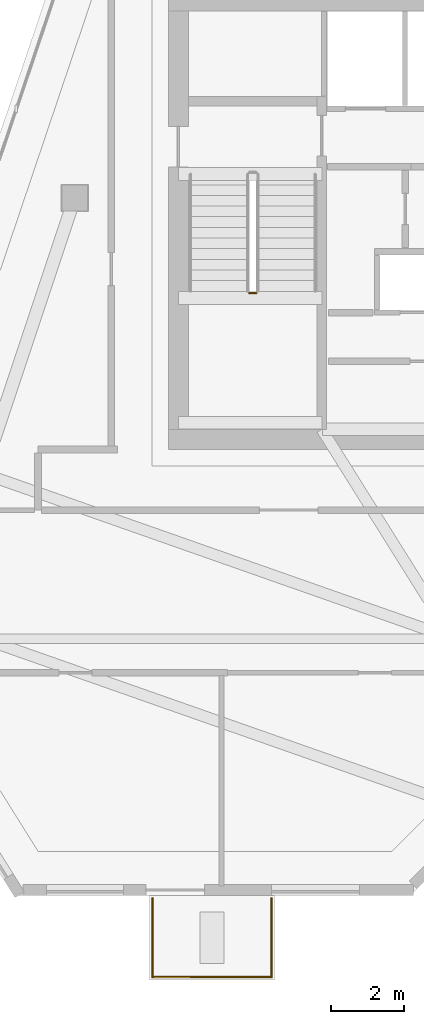
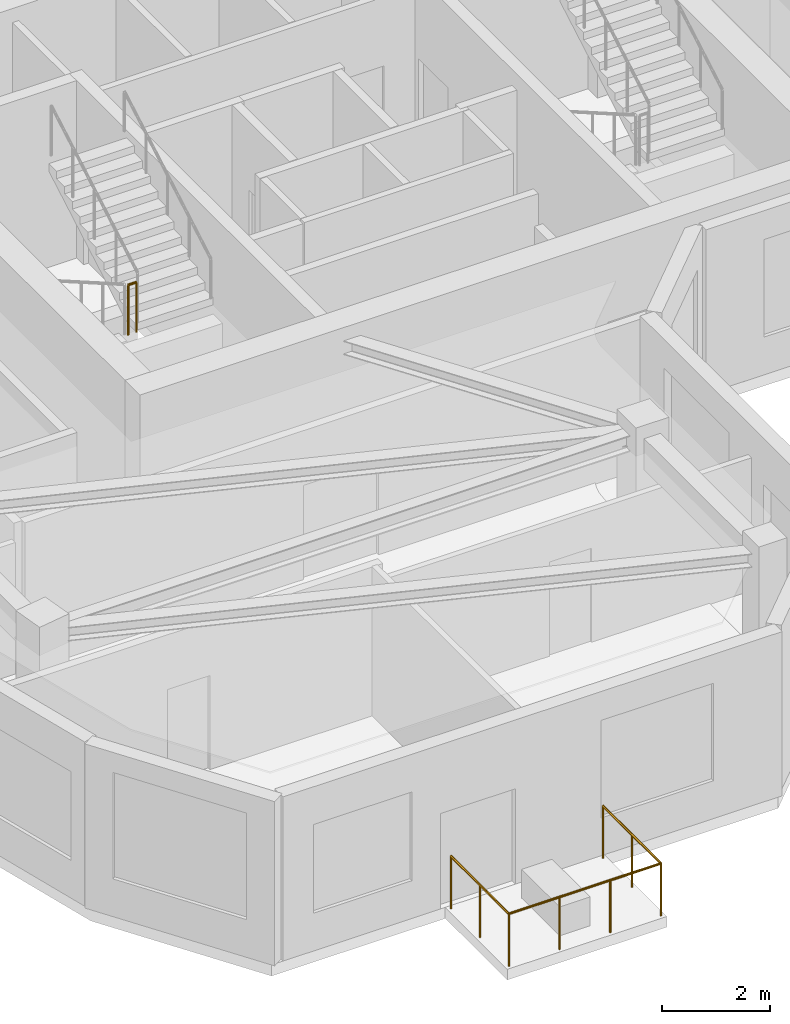
# One storey, part 6 of 8: 4 railings.
"""IFC4 building model written with IfcOpenShell, lengths in metres."""

from ifc_helpers import new_model, si_unit, direction, frame, origin, origin_2d, place, context, subcontext, project, spatial, circle, extrude, material, type_object, element, save


model = new_model("IFC4")

# Units and contexts
model_context = context("Model", 3, precision=1e-05, world=origin(), true_north=direction((0.0, 1.0)))
body_context = subcontext(model_context, "Body", "Model", "MODEL_VIEW")
ifc_project = project(units=[si_unit("LENGTHUNIT", "METRE"), si_unit("AREAUNIT", "SQUARE_METRE"), si_unit("VOLUMEUNIT", "CUBIC_METRE"), si_unit("PLANEANGLEUNIT", "RADIAN"), si_unit("MASSUNIT", "GRAM", prefix="KILO")], contexts=[model_context])

# Site, building, storey
site_placement = place(None, origin())
site = spatial("IfcSite", under=ifc_project, at=site_placement, CompositionType="ELEMENT")
building_placement = place(site_placement, origin())
building = spatial("IfcBuilding", under=site, at=building_placement, Name="Calvemar Wedge Station Tower", CompositionType="ELEMENT")
storey_placement = place(building_placement, frame((0.0, 0.0, 300.5)))
storey = spatial("IfcBuildingStorey", under=building, at=storey_placement, Name="L77", CompositionType="ELEMENT", Elevation=300.5)

# Railings
ifc_material_1 = material(Name="Stainless steel AISI 316L", Category="steel")
railing_type_1 = type_object("IfcRailingType", Name="GRD-TERR-1200", PredefinedType="GUARDRAIL", material=ifc_material_1)
railing_1_placement = place(storey_placement, frame((18.860107421875, 21.419921875, 0.0)))
element("IfcRailing", 1, at=railing_1_placement, inside=storey, type_object=railing_type_1, Name="Storey L77 Spiral Terrace Guard 2", PredefinedType="GUARDRAIL", context=body_context, shape_type="SweptSolid", body=[
    extrude(circle(Radius=0.02392578125, at=origin_2d()), frame((0.0, 0.0, 1.17578125), z_axis=(0.0, -1.0, 0.0), x_axis=(1.0, 0.0, 0.0)), (0.0, 0.0, 1.0), 2.139892578125),
    extrude(circle(Radius=0.02099609375, at=origin_2d()), origin(), (0.0, 0.0, 1.0), 1.15185546875),
    extrude(circle(Radius=0.02099609375, at=origin_2d()), frame((0.0, -1.06982421875, 0.0)), (0.0, 0.0, 1.0), 1.15185546875),
    extrude(circle(Radius=0.02099609375, at=origin_2d()), frame((0.0, -2.139892578125, 0.0)), (0.0, 0.0, 1.0), 1.15185546875),
])
railing_2_placement = place(storey_placement, frame((18.860107421875, 19.280029296875, 0.0)))
element("IfcRailing", 2, at=railing_2_placement, inside=storey, type_object=railing_type_1, Name="Storey L77 Spiral Terrace Guard 3", PredefinedType="GUARDRAIL", context=body_context, shape_type="SweptSolid", body=[
    extrude(circle(Radius=0.02392578125, at=origin_2d()), frame((0.0, 0.0, 1.17578125), z_axis=(-1.0, 0.0, 0.0), x_axis=(0.0, -1.0, 0.0)), (0.0, 0.0, 1.0), 3.239990234375),
    extrude(circle(Radius=0.02099609375, at=origin_2d()), origin(), (0.0, 0.0, 1.0), 1.15185546875),
    extrude(circle(Radius=0.02099609375, at=origin_2d()), frame((-1.080078125, 0.0, 0.0)), (0.0, 0.0, 1.0), 1.15185546875),
    extrude(circle(Radius=0.02099609375, at=origin_2d()), frame((-2.159912109375, 0.0, 0.0)), (0.0, 0.0, 1.0), 1.15185546875),
    extrude(circle(Radius=0.02099609375, at=origin_2d()), frame((-3.239990234375, 0.0, 0.0)), (0.0, 0.0, 1.0), 1.15185546875),
])
railing_3_placement = place(storey_placement, frame((15.6201171875, 19.280029296875, 0.0)))
element("IfcRailing", 3, at=railing_3_placement, inside=storey, type_object=railing_type_1, Name="Storey L77 Spiral Terrace Guard 4", PredefinedType="GUARDRAIL", context=body_context, shape_type="SweptSolid", body=[
    extrude(circle(Radius=0.02392578125, at=origin_2d()), frame((0.0, 0.0, 1.17578125), z_axis=(0.0, 1.0, 0.0), x_axis=(-1.0, 0.0, 0.0)), (0.0, 0.0, 1.0), 2.139892578125),
    extrude(circle(Radius=0.02099609375, at=origin_2d()), origin(), (0.0, 0.0, 1.0), 1.15185546875),
    extrude(circle(Radius=0.02099609375, at=origin_2d()), frame((0.0, 1.06982421875, 0.0)), (0.0, 0.0, 1.0), 1.15185546875),
    extrude(circle(Radius=0.02099609375, at=origin_2d()), frame((0.0, 2.139892578125, 0.0)), (0.0, 0.0, 1.0), 1.15185546875),
])
ifc_material_2 = material(Name="Painted steel guardrail ASTM A500 Grade C", Category="steel")
railing_type_2 = type_object("IfcRailingType", Name="RL-STAIR-GUARD-1150", PredefinedType="GUARDRAIL", material=ifc_material_2)
railing_4_placement = place(storey_placement, frame((18.260009765625, 37.909912109375, 2.0)))
element("IfcRailing", 4, at=railing_4_placement, inside=storey, type_object=railing_type_2, Name="L77 ST-C1 stair guard 2", PredefinedType="GUARDRAIL", context=body_context, shape_type="SweptSolid", body=[
    extrude(circle(Radius=0.02392578125, at=origin_2d()), frame((0.0, 0.0, 1.1259765625), z_axis=(1.0, 0.0, 0.0), x_axis=(0.0, 1.0, 0.0)), (0.0, 0.0, 1.0), 0.179931640625),
    extrude(circle(Radius=0.02099609375, at=origin_2d()), origin(), (0.0, 0.0, 1.0), 1.101806640625),
    extrude(circle(Radius=0.02099609375, at=origin_2d()), frame((0.179931640625, 0.0, 0.0)), (0.0, 0.0, 1.0), 1.101806640625),
])

save(model, "model.ifc")
